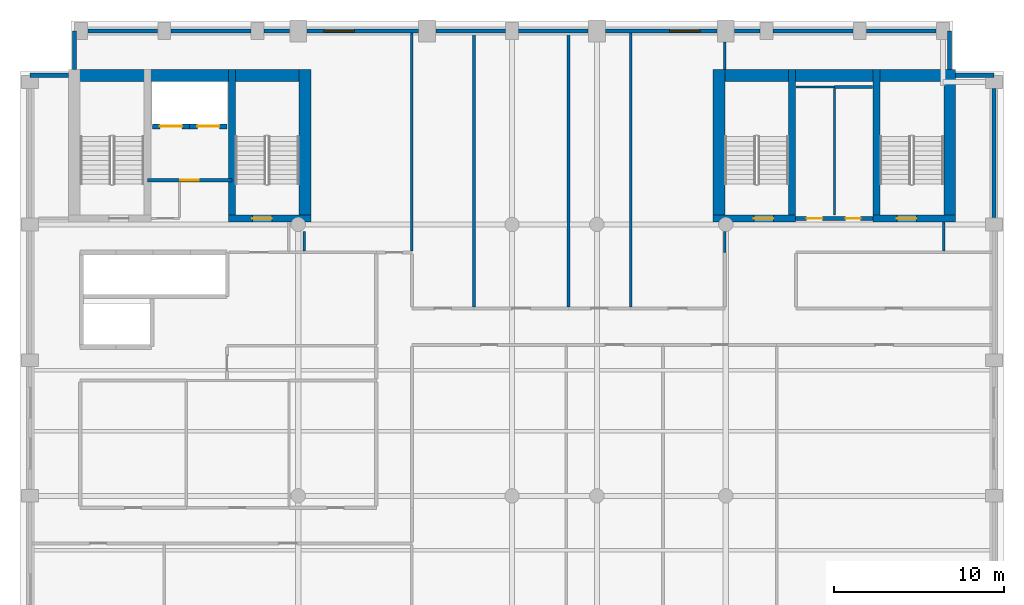
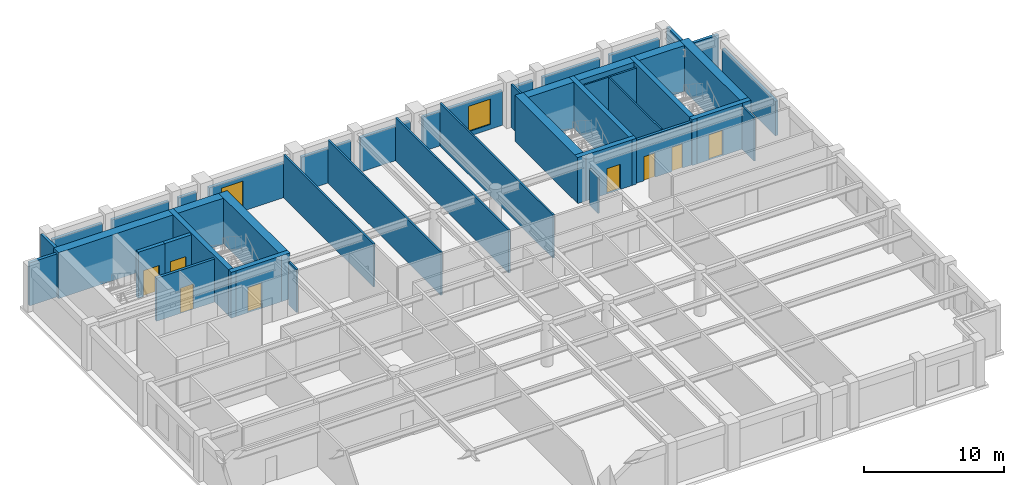
# One storey, part 5 of 8: 41 walls, 8 doors, 2 windows, 10 openings.
"""IFC4 building model written with IfcOpenShell, lengths in metres."""

from ifc_helpers import new_model, si_unit, direction, frame, frame_2d, origin, place, context, subcontext, project, spatial, rectangle, extrude, material, layer, layer_set, type_object, element, fill, save


model = new_model("IFC4")

# Units and contexts
model_context = context("Model", 3, precision=1e-05, world=origin(), true_north=direction((0.0, 1.0)))
body_context = subcontext(model_context, "Body", "Model", "MODEL_VIEW")
ifc_project = project(units=[si_unit("LENGTHUNIT", "METRE"), si_unit("AREAUNIT", "SQUARE_METRE"), si_unit("VOLUMEUNIT", "CUBIC_METRE"), si_unit("PLANEANGLEUNIT", "RADIAN"), si_unit("MASSUNIT", "GRAM", prefix="KILO")], contexts=[model_context])

# Site, building, storey
site_placement = place(None, origin())
site = spatial("IfcSite", under=ifc_project, at=site_placement, CompositionType="ELEMENT")
building_placement = place(site_placement, origin())
building = spatial("IfcBuilding", under=site, at=building_placement, Name="Sulina Concourse Tower", CompositionType="ELEMENT")
storey_placement = place(building_placement, frame((0.0, 0.0, 230.60009765625)))
storey = spatial("IfcBuildingStorey", under=building, at=storey_placement, Name="L56", CompositionType="ELEMENT", Elevation=230.60009765625)

# Wall, opening, door
ifc_material_1 = material(Name="Concrete C50/60", Category="concrete")
ifc_layer_1 = layer(ifc_material_1, 0.300048828125)
ifc_layer_set_1 = layer_set([ifc_layer_1], Name="Concrete C50/60")
wall_type_1 = type_object("IfcWallType", Name="Core Lift Hoistway Wall 300mm", PredefinedType="SOLIDWALL", material=ifc_layer_set_1)
wall_1_placement = place(storey_placement, frame((10.0, 39.780029296875, 0.0), z_axis=(0.0, 0.0, 1.0), x_axis=(-1.0, 0.0, 0.0)))
wall_1 = element("IfcWall", 1, at=wall_1_placement, inside=storey, type_object=wall_type_1, Name="L56 hoistway enclosure wall FFL-1", PredefinedType="SOLIDWALL", context=body_context, shape_type="SweptSolid", body=[
    extrude(rectangle(XDim=2.199951171875, YDim=0.300048828125, at=frame_2d((1.10009765625, 0.0))), origin(), (0.0, 0.0, 1.0), 4.0),
])
opening_1_placement = place(wall_1_placement, frame((0.449951171875, 0.0, 0.0)))
opening_1 = element("IfcOpeningElement", 2, at=opening_1_placement, cuts=wall_1, Name="Opening LD-02", PredefinedType="OPENING", context=body_context, shape_type="SweptSolid", body=[
    extrude(rectangle(XDim=1.300048828125, YDim=2.25, at=frame_2d((0.64990234375, 1.125))), frame((0.0, 0.159912109375, 0.0), z_axis=(0.0, -1.0, 0.0), x_axis=(1.0, 0.0, 0.0)), (0.0, 0.0, 1.0), 0.320068359375),
])
ifc_material_2 = material(Name="Stainless steel lift landing door", Category="steel")
ifc_layer_2 = layer(ifc_material_2, 0.050048828125)
ifc_layer_set_2 = layer_set([ifc_layer_2], Name="Stainless steel lift landing door")
door_type_1 = type_object("IfcDoorType", Name="Firefighting Lift Sliding Landing Door 1300x2250", OperationType="SLIDING_TO_RIGHT", PredefinedType="DOOR", material=ifc_layer_set_2)
door_1_placement = place(opening_1_placement, origin())
door_1 = element("IfcDoor", 3, at=door_1_placement, inside=storey, type_object=door_type_1, Name="L56 lift landing sliding door FFL-1", OperationType="SLIDING_TO_LEFT", OverallHeight=2.25, OverallWidth=1.300048828125, PredefinedType="DOOR", context=body_context, shape_type="SweptSolid", body=[
    extrude(rectangle(XDim=1.300048828125, YDim=2.25, at=frame_2d((0.64990234375, 1.125))), frame((0.0, 0.02490234375, 0.0), z_axis=(0.0, -1.0, 0.0), x_axis=(1.0, 0.0, 0.0)), (0.0, 0.0, 1.0), 0.050048828125),
])
fill(opening_1, door_1)

wall_2_placement = place(storey_placement, frame((12.199951171875, 39.780029296875, 0.0), z_axis=(0.0, 0.0, 1.0), x_axis=(-1.0, 0.0, 0.0)))
wall_2 = element("IfcWall", 4, at=wall_2_placement, inside=storey, type_object=wall_type_1, Name="L56 hoistway enclosure wall FFL-2", PredefinedType="SOLIDWALL", context=body_context, shape_type="SweptSolid", body=[
    extrude(rectangle(XDim=2.199951171875, YDim=0.300048828125, at=frame_2d((1.10009765625, 0.0))), origin(), (0.0, 0.0, 1.0), 4.0),
])
opening_2_placement = place(wall_2_placement, frame((0.449951171875, 0.0, 0.0)))
opening_2 = element("IfcOpeningElement", 5, at=opening_2_placement, cuts=wall_2, Name="Opening LD-02", PredefinedType="OPENING", context=body_context, shape_type="SweptSolid", body=[
    extrude(rectangle(XDim=1.300048828125, YDim=2.25, at=frame_2d((0.64990234375, 1.125))), frame((0.0, 0.159912109375, 0.0), z_axis=(0.0, -1.0, 0.0), x_axis=(1.0, 0.0, 0.0)), (0.0, 0.0, 1.0), 0.320068359375),
])
door_2_placement = place(opening_2_placement, origin())
door_2 = element("IfcDoor", 6, at=door_2_placement, inside=storey, type_object=door_type_1, Name="L56 lift landing sliding door FFL-2", OperationType="SLIDING_TO_RIGHT", OverallHeight=2.25, OverallWidth=1.300048828125, PredefinedType="DOOR", context=body_context, shape_type="SweptSolid", body=[
    extrude(rectangle(XDim=1.300048828125, YDim=2.25, at=frame_2d((0.64990234375, 1.125))), frame((0.0, 0.02490234375, 0.0), z_axis=(0.0, -1.0, 0.0), x_axis=(1.0, 0.0, 0.0)), (0.0, 0.0, 1.0), 0.050048828125),
])
fill(opening_2, door_2)

# Walls
ifc_material_3 = material(Name="Precast concrete C50/60", Category="concrete")
ifc_layer_3 = layer(ifc_material_3, 0.239990234375)
ifc_layer_set_3 = layer_set([ifc_layer_3], Name="Precast concrete C50/60")
wall_type_2 = type_object("IfcWallType", Name="Crown Precast Masonry-Frame Facade Wall 240mm", PredefinedType="SOLIDWALL", material=ifc_layer_set_3)
wall_3_placement = place(storey_placement, frame((3.9951171875, 45.39990234375, 0.0), z_axis=(0.0, 0.0, 1.0), x_axis=(1.0, 0.0, 0.0)))
element("IfcWall", 7, at=wall_3_placement, inside=storey, type_object=wall_type_2, Name="L56 exterior precast wall N1", PredefinedType="SOLIDWALL", context=body_context, shape_type="SweptSolid", body=[
    extrude(rectangle(XDim=4.10986328125, YDim=0.239990234375, at=frame_2d((2.054931640625, 0.0))), origin(), (0.0, 0.0, 1.0), 3.0),
])
wall_4_placement = place(storey_placement, frame((8.89501953125, 45.39990234375, 0.0), z_axis=(0.0, 0.0, 1.0), x_axis=(1.0, 0.0, 0.0)))
element("IfcWall", 8, at=wall_4_placement, inside=storey, type_object=wall_type_2, Name="L56 exterior precast wall N2", PredefinedType="SOLIDWALL", context=body_context, shape_type="SweptSolid", body=[
    extrude(rectangle(XDim=4.7099609375, YDim=0.239990234375, at=frame_2d((2.35498046875, 0.0))), origin(), (0.0, 0.0, 1.0), 3.0),
])
wall_5_placement = place(storey_placement, frame((14.39501953125, 45.39990234375, 0.0), z_axis=(0.0, 0.0, 1.0), x_axis=(1.0, 0.0, 0.0)))
element("IfcWall", 9, at=wall_5_placement, inside=storey, type_object=wall_type_2, Name="L56 exterior precast wall N3", PredefinedType="SOLIDWALL", context=body_context, shape_type="SweptSolid", body=[
    extrude(rectangle(XDim=1.48486328125, YDim=0.239990234375, at=frame_2d((0.742431640625, 0.0))), origin(), (0.0, 0.0, 1.0), 3.0),
])

# Wall, opening, window
wall_6_placement = place(storey_placement, frame((16.919921875, 45.39990234375, 0.0), z_axis=(0.0, 0.0, 1.0), x_axis=(1.0, 0.0, 0.0)))
wall_6 = element("IfcWall", 10, at=wall_6_placement, inside=storey, type_object=wall_type_2, Name="L56 exterior precast wall N4", PredefinedType="SOLIDWALL", context=body_context, shape_type="SweptSolid", body=[
    extrude(rectangle(XDim=6.56005859375, YDim=0.239990234375, at=frame_2d((3.280029296875, 0.0))), origin(), (0.0, 0.0, 1.0), 3.0),
])
opening_3_placement = place(wall_6_placement, frame((0.98681640625, 0.0, 0.419921875)))
opening_3 = element("IfcOpeningElement", 11, at=opening_3_placement, cuts=wall_6, Name="Opening WN-25", PredefinedType="OPENING", context=body_context, shape_type="SweptSolid", body=[
    extrude(rectangle(XDim=1.800048828125, YDim=2.199951171875, at=frame_2d((0.89990234375, 1.10009765625))), frame((0.0, 0.1298828125, 0.0), z_axis=(0.0, -1.0, 0.0), x_axis=(1.0, 0.0, 0.0)), (0.0, 0.0, 1.0), 0.260009765625),
])
ifc_material_4 = material(Name="Low-E solar double glazing in bronze aluminium", Category="aluminium")
window_type = type_object("IfcWindowType", Name="Punched Masonry-Frame Window 1800x2200", PartitioningType="SINGLE_PANEL", PredefinedType="WINDOW", material=ifc_material_4)
window_1_placement = place(opening_3_placement, origin())
window_1 = element("IfcWindow", 12, at=window_1_placement, inside=storey, type_object=window_type, Name="L56 punched window N4-1", OverallHeight=2.199951171875, OverallWidth=1.800048828125, PartitioningType="SINGLE_PANEL", PredefinedType="WINDOW", context=body_context, shape_type="SweptSolid", body=[
    extrude(rectangle(XDim=1.800048828125, YDim=2.199951171875, at=frame_2d((0.89990234375, 1.10009765625))), frame((0.0, 0.030029296875, 0.0), z_axis=(0.0, -1.0, 0.0), x_axis=(1.0, 0.0, 0.0)), (0.0, 0.0, 1.0), 0.06005859375),
])
fill(opening_3, window_1)

# Walls
for number, where, z_axis, x_axis, name in (
    (13, (24.52001953125, 45.39990234375, 0.0), (0.0, 0.0, 1.0), (1.0, 0.0, 0.0), "L56 exterior precast wall N5"),
    (14, (29.39501953125, 45.39990234375, 0.0), (0.0, 0.0, 1.0), (1.0, 0.0, 0.0), "L56 exterior precast wall N6"),
):
    element("IfcWall", number, at=place(storey_placement, frame(where, z_axis=z_axis, x_axis=x_axis)), inside=storey, type_object=wall_type_2, Name=name, PredefinedType="SOLIDWALL", context=body_context, shape_type="SweptSolid", body=[
        extrude(rectangle(XDim=4.0849609375, YDim=0.239990234375, at=frame_2d((2.04248046875, 0.0))), origin(), (0.0, 0.0, 1.0), 3.0),
    ])

# Wall, opening, window
wall_7_placement = place(storey_placement, frame((34.52001953125, 45.39990234375, 0.0), z_axis=(0.0, 0.0, 1.0), x_axis=(1.0, 0.0, 0.0)))
wall_7 = element("IfcWall", 15, at=wall_7_placement, inside=storey, type_object=wall_type_2, Name="L56 exterior precast wall N7", PredefinedType="SOLIDWALL", context=body_context, shape_type="SweptSolid", body=[
    extrude(rectangle(XDim=6.56005859375, YDim=0.239990234375, at=frame_2d((3.280029296875, 0.0))), origin(), (0.0, 0.0, 1.0), 3.0),
])
opening_4_placement = place(wall_7_placement, frame((3.773193359375, 0.0, 0.419921875)))
opening_4 = element("IfcOpeningElement", 16, at=opening_4_placement, cuts=wall_7, Name="Opening WN-25", PredefinedType="OPENING", context=body_context, shape_type="SweptSolid", body=[
    extrude(rectangle(XDim=1.800048828125, YDim=2.199951171875, at=frame_2d((0.89990234375, 1.10009765625))), frame((0.0, 0.1298828125, 0.0), z_axis=(0.0, -1.0, 0.0), x_axis=(1.0, 0.0, 0.0)), (0.0, 0.0, 1.0), 0.260009765625),
])
window_2_placement = place(opening_4_placement, origin())
window_2 = element("IfcWindow", 17, at=window_2_placement, inside=storey, type_object=window_type, Name="L56 punched window N7-1", OverallHeight=2.199951171875, OverallWidth=1.800048828125, PartitioningType="SINGLE_PANEL", PredefinedType="WINDOW", context=body_context, shape_type="SweptSolid", body=[
    extrude(rectangle(XDim=1.800048828125, YDim=2.199951171875, at=frame_2d((0.89990234375, 1.10009765625))), frame((0.0, 0.030029296875, 0.0), z_axis=(0.0, -1.0, 0.0), x_axis=(1.0, 0.0, 0.0)), (0.0, 0.0, 1.0), 0.06005859375),
])
fill(opening_4, window_2)

# Walls
wall_8_placement = place(storey_placement, frame((42.1201171875, 45.39990234375, 0.0), z_axis=(0.0, 0.0, 1.0), x_axis=(1.0, 0.0, 0.0)))
element("IfcWall", 18, at=wall_8_placement, inside=storey, type_object=wall_type_2, Name="L56 exterior precast wall N8", PredefinedType="SOLIDWALL", context=body_context, shape_type="SweptSolid", body=[
    extrude(rectangle(XDim=1.48486328125, YDim=0.239990234375, at=frame_2d((0.742431640625, 0.0))), origin(), (0.0, 0.0, 1.0), 3.0),
])
wall_9_placement = place(storey_placement, frame((44.39501953125, 45.39990234375, 0.0), z_axis=(0.0, 0.0, 1.0), x_axis=(1.0, 0.0, 0.0)))
element("IfcWall", 19, at=wall_9_placement, inside=storey, type_object=wall_type_2, Name="L56 exterior precast wall N9", PredefinedType="SOLIDWALL", context=body_context, shape_type="SweptSolid", body=[
    extrude(rectangle(XDim=4.7099609375, YDim=0.239990234375, at=frame_2d((2.35498046875, 0.0))), origin(), (0.0, 0.0, 1.0), 3.0),
])
wall_10_placement = place(storey_placement, frame((49.89501953125, 45.39990234375, 0.0), z_axis=(0.0, 0.0, 1.0), x_axis=(1.0, 0.0, 0.0)))
element("IfcWall", 20, at=wall_10_placement, inside=storey, type_object=wall_type_2, Name="L56 exterior precast wall N10", PredefinedType="SOLIDWALL", context=body_context, shape_type="SweptSolid", body=[
    extrude(rectangle(XDim=4.10986328125, YDim=0.239990234375, at=frame_2d((2.054931640625, 0.0))), origin(), (0.0, 0.0, 1.0), 3.0),
])
wall_11_placement = place(storey_placement, frame((57.39990234375, 42.0048828125, 0.0), z_axis=(0.0, 0.0, 1.0), x_axis=(0.0, -1.0, 0.0)))
element("IfcWall", 21, at=wall_11_placement, inside=storey, type_object=wall_type_2, Name="L56 exterior precast wall E5", PredefinedType="SOLIDWALL", context=body_context, shape_type="SweptSolid", body=[
    extrude(rectangle(XDim=7.60986328125, YDim=0.239990234375, at=frame_2d((3.804931640625, 0.0))), origin(), (0.0, 0.0, 1.0), 3.0),
])
wall_12_placement = place(storey_placement, frame((0.60009765625, 42.794921875, 0.0), z_axis=(0.0, 0.0, 1.0), x_axis=(1.0, 0.0, 0.0)))
element("IfcWall", 22, at=wall_12_placement, inside=storey, type_object=wall_type_2, Name="L56 exterior precast wall CNW1", PredefinedType="SOLIDWALL", context=body_context, shape_type="SweptSolid", body=[
    extrude(rectangle(XDim=2.244873046875, YDim=0.239990234375, at=frame_2d((1.12255859375, 0.0))), origin(), (0.0, 0.0, 1.0), 3.75),
])
for number, where, z_axis, x_axis, name in (
    (23, (3.205078125, 43.135009765625, 0.0), (0.0, 0.0, 1.0), (0.0, 1.0, 0.0), "L56 exterior precast wall CNW2"),
    (24, (54.794921875, 45.39990234375, 0.0), (0.0, 0.0, 1.0), (0.0, -1.0, 0.0), "L56 exterior precast wall CNE1"),
):
    element("IfcWall", number, at=place(storey_placement, frame(where, z_axis=z_axis, x_axis=x_axis)), inside=storey, type_object=wall_type_2, Name=name, PredefinedType="SOLIDWALL", context=body_context, shape_type="SweptSolid", body=[
        extrude(rectangle(XDim=2.264892578125, YDim=0.239990234375, at=frame_2d((1.13232421875, 0.0))), origin(), (0.0, 0.0, 1.0), 3.75),
    ])
wall_13_placement = place(storey_placement, frame((55.155029296875, 42.794921875, 0.0), z_axis=(0.0, 0.0, 1.0), x_axis=(1.0, 0.0, 0.0)))
element("IfcWall", 25, at=wall_13_placement, inside=storey, type_object=wall_type_2, Name="L56 exterior precast wall CNE2", PredefinedType="SOLIDWALL", context=body_context, shape_type="SweptSolid", body=[
    extrude(rectangle(XDim=2.244873046875, YDim=0.239990234375, at=frame_2d((1.12255859375, 0.0))), origin(), (0.0, 0.0, 1.0), 3.75),
])

# Wall, opening, door
ifc_material_5 = material(Name="Gypsum board on steel stud", Category="steel")
ifc_layer_4 = layer(ifc_material_5, 0.219970703125)
ifc_layer_set_4 = layer_set([ifc_layer_4], Name="Gypsum board on steel stud")
wall_type_3 = type_object("IfcWallType", Name="Fire-Rated Lobby & Compartment Wall 220mm", PredefinedType="PARTITIONING", material=ifc_layer_set_4)
wall_14_placement = place(storey_placement, frame((7.510009765625, 36.60009765625, 0.0), z_axis=(0.0, 0.0, 1.0), x_axis=(1.0, 0.0, 0.0)))
wall_14 = element("IfcWall", 26, at=wall_14_placement, inside=storey, type_object=wall_type_3, Name="L56 firefighting lobby south fire wall", PredefinedType="PARTITIONING", context=body_context, shape_type="SweptSolid", body=[
    extrude(rectangle(XDim=4.97998046875, YDim=0.219970703125, at=frame_2d((2.489990234375, 0.0))), origin(), (0.0, 0.0, 1.0), 3.75),
])
opening_5_placement = place(wall_14_placement, frame((1.93994140625, 0.0, 0.0)))
opening_5 = element("IfcOpeningElement", 27, at=opening_5_placement, cuts=wall_14, Name="Opening DR-47", PredefinedType="OPENING", context=body_context, shape_type="SweptSolid", body=[
    extrude(rectangle(XDim=1.10009765625, YDim=2.199951171875, at=frame_2d((0.550048828125, 1.10009765625))), frame((0.0, 0.119873046875, 0.0), z_axis=(0.0, -1.0, 0.0), x_axis=(1.0, 0.0, 0.0)), (0.0, 0.0, 1.0), 0.239990234375),
])
ifc_material_6 = material(Name="Galvanised steel acoustic fire leaf", Category="steel")
ifc_layer_5 = layer(ifc_material_6, 0.054931640625)
ifc_layer_set_5 = layer_set([ifc_layer_5], Name="Galvanised steel acoustic fire leaf")
door_type_2 = type_object("IfcDoorType", Name="Firefighting Lobby Fire Door 1100x2200", OperationType="NOTDEFINED", PredefinedType="DOOR", material=ifc_layer_set_5)
door_3_placement = place(opening_5_placement, origin())
door_3 = element("IfcDoor", 28, at=door_3_placement, inside=storey, type_object=door_type_2, Name="L56 firefighting lobby fire door", OperationType="SINGLE_SWING_LEFT", OverallHeight=2.199951171875, OverallWidth=1.10009765625, PredefinedType="DOOR", context=body_context, shape_type="SweptSolid", body=[
    extrude(rectangle(XDim=1.10009765625, YDim=2.199951171875, at=frame_2d((0.550048828125, 1.10009765625))), frame((0.0, 0.02490234375, 0.0), z_axis=(0.0, -1.0, 0.0), x_axis=(1.0, 0.0, 0.0)), (0.0, 0.0, 1.0), 0.050048828125),
])
fill(opening_5, door_3)

# Wall, openings, doors
wall_15_placement = place(storey_placement, frame((45.719970703125, 34.35009765625, 0.0), z_axis=(0.0, 0.0, 1.0), x_axis=(1.0, 0.0, 0.0)))
wall_15 = element("IfcWall", 29, at=wall_15_placement, inside=storey, type_object=wall_type_3, Name="L56 east core south lobby wall", PredefinedType="PARTITIONING", context=body_context, shape_type="SweptSolid", body=[
    extrude(rectangle(XDim=4.56005859375, YDim=0.219970703125, at=frame_2d((2.280029296875, 0.0))), origin(), (0.0, 0.0, 1.0), 3.75),
])
opening_6_placement = place(wall_15_placement, frame((0.64990234375, 0.0, 0.0)))
opening_6 = element("IfcOpeningElement", 30, at=opening_6_placement, cuts=wall_15, Name="Opening DR-61", PredefinedType="OPENING", context=body_context, shape_type="SweptSolid", body=[
    extrude(rectangle(XDim=0.919921875, YDim=2.10009765625, at=frame_2d((0.4599609375, 1.050048828125))), frame((0.0, 0.119873046875, 0.0), z_axis=(0.0, -1.0, 0.0), x_axis=(1.0, 0.0, 0.0)), (0.0, 0.0, 1.0), 0.239990234375),
])
opening_7_placement = place(wall_15_placement, frame((2.949951171875, 0.0, 0.0)))
opening_7 = element("IfcOpeningElement", 31, at=opening_7_placement, cuts=wall_15, Name="Opening DR-38", PredefinedType="OPENING", context=body_context, shape_type="SweptSolid", body=[
    extrude(rectangle(XDim=0.8798828125, YDim=2.10009765625, at=frame_2d((0.43994140625, 1.050048828125))), frame((0.0, 0.119873046875, 0.0), z_axis=(0.0, -1.0, 0.0), x_axis=(1.0, 0.0, 0.0)), (0.0, 0.0, 1.0), 0.239990234375),
])
ifc_material_7 = material(Name="Oak-veneered fire door leaf")
ifc_layer_6 = layer(ifc_material_7, 0.050048828125)
ifc_layer_set_6 = layer_set([ifc_layer_6], Name="Oak-veneered fire door leaf")
door_type_3 = type_object("IfcDoorType", Name="Accessible WC Door 920x2100", OperationType="NOTDEFINED", PredefinedType="DOOR", material=ifc_layer_set_6)
door_4_placement = place(opening_6_placement, origin())
door_4 = element("IfcDoor", 32, at=door_4_placement, inside=storey, type_object=door_type_3, Name="L56 east core accessible wc door", OperationType="SINGLE_SWING_LEFT", OverallHeight=2.10009765625, OverallWidth=0.919921875, PredefinedType="DOOR", context=body_context, shape_type="SweptSolid", body=[
    extrude(rectangle(XDim=0.919921875, YDim=2.10009765625, at=frame_2d((0.4599609375, 1.050048828125))), frame((0.0, 0.02490234375, 0.0), z_axis=(0.0, -1.0, 0.0), x_axis=(1.0, 0.0, 0.0)), (0.0, 0.0, 1.0), 0.050048828125),
])
fill(opening_6, door_4)
ifc_material_8 = material(Name="Galvanised steel acoustic fire leaf", Category="steel")
ifc_layer_7 = layer(ifc_material_8, 0.050048828125)
ifc_layer_set_7 = layer_set([ifc_layer_7], Name="Galvanised steel acoustic fire leaf")
door_type_4 = type_object("IfcDoorType", Name="Service Riser Fire Door 880x2100", OperationType="NOTDEFINED", PredefinedType="DOOR", material=ifc_layer_set_7)
door_5_placement = place(opening_7_placement, origin())
door_5 = element("IfcDoor", 33, at=door_5_placement, inside=storey, type_object=door_type_4, Name="L56 east core store door", OperationType="SINGLE_SWING_RIGHT", OverallHeight=2.10009765625, OverallWidth=0.8798828125, PredefinedType="DOOR", context=body_context, shape_type="SweptSolid", body=[
    extrude(rectangle(XDim=0.8798828125, YDim=2.10009765625, at=frame_2d((0.43994140625, 1.050048828125))), frame((0.0, 0.02490234375, 0.0), z_axis=(0.0, -1.0, 0.0), x_axis=(1.0, 0.0, 0.0)), (0.0, 0.0, 1.0), 0.050048828125),
])
fill(opening_7, door_5)

# Walls
ifc_material_9 = material(Name="Gypsum board on steel stud", Category="steel")
ifc_layer_8 = layer(ifc_material_9, 0.14990234375)
ifc_layer_set_8 = layer_set([ifc_layer_8], Name="Gypsum board on steel stud")
wall_type_4 = type_object("IfcWallType", Name="Inter-Tenancy Acoustic Partition 150mm", PredefinedType="PARTITIONING", material=ifc_layer_set_8)
wall_16_placement = place(storey_placement, frame((48.0, 42.10009765625, 0.0), z_axis=(0.0, 0.0, 1.0), x_axis=(1.0, 0.0, 0.0)))
element("IfcWall", 34, at=wall_16_placement, inside=storey, type_object=wall_type_4, Name="L56 interior partition 029", PredefinedType="PARTITIONING", context=body_context, shape_type="SweptSolid", body=[
    extrude(rectangle(XDim=2.25, YDim=0.14990234375, at=frame_2d((1.125, 0.0))), origin(), (0.0, 0.0, 1.0), 3.75),
])
wall_17_placement = place(storey_placement, frame((16.75, 32.425048828125, 0.0), z_axis=(0.0, 0.0, 1.0), x_axis=(0.0, 1.0, 0.0)))
element("IfcWall", 35, at=wall_17_placement, inside=storey, type_object=wall_type_4, Name="L56 interior partition 037", PredefinedType="PARTITIONING", context=body_context, shape_type="SweptSolid", body=[
    extrude(rectangle(XDim=1.14990234375, YDim=0.14990234375, at=frame_2d((0.574951171875, 0.0))), origin(), (0.0, 0.0, 1.0), 3.75),
])
wall_18_placement = place(storey_placement, frame((23.10009765625, 32.43994140625, 0.0), z_axis=(0.0, 0.0, 1.0), x_axis=(0.0, 1.0, 0.0)))
element("IfcWall", 36, at=wall_18_placement, inside=storey, type_object=wall_type_4, Name="L56 interior partition 045", PredefinedType="PARTITIONING", context=body_context, shape_type="SweptSolid", body=[
    extrude(rectangle(XDim=12.840087890625, YDim=0.14990234375, at=frame_2d((6.419921875, 0.0))), origin(), (0.0, 0.0, 1.0), 3.75),
])
for number, where, z_axis, x_axis, name in (
    (37, (26.760009765625, 29.139892578125, 0.0), (0.0, 0.0, 1.0), (0.0, 1.0, 0.0), "L56 interior partition 046"),
    (38, (32.330078125, 29.139892578125, 0.0), (0.0, 0.0, 1.0), (0.0, 1.0, 0.0), "L56 interior partition 048"),
    (39, (35.989990234375, 29.139892578125, 0.0), (0.0, 0.0, 1.0), (0.0, 1.0, 0.0), "L56 interior partition 049"),
):
    element("IfcWall", number, at=place(storey_placement, frame(where, z_axis=z_axis, x_axis=x_axis)), inside=storey, type_object=wall_type_4, Name=name, PredefinedType="PARTITIONING", context=body_context, shape_type="SweptSolid", body=[
        extrude(rectangle(XDim=16.14013671875, YDim=0.14990234375, at=frame_2d((8.070068359375, 0.0))), origin(), (0.0, 0.0, 1.0), 3.75),
    ])
wall_19_placement = place(storey_placement, frame((41.550048828125, 32.35009765625, 0.0), z_axis=(0.0, 0.0, 1.0), x_axis=(0.0, 1.0, 0.0)))
element("IfcWall", 40, at=wall_19_placement, inside=storey, type_object=wall_type_4, Name="L56 interior partition 052", PredefinedType="PARTITIONING", context=body_context, shape_type="SweptSolid", body=[
    extrude(rectangle(XDim=1.224853515625, YDim=0.14990234375, at=frame_2d((0.6123046875, 0.0))), origin(), (0.0, 0.0, 1.0), 3.14501953125),
])
wall_20_placement = place(storey_placement, frame((41.550048828125, 43.1298828125, 0.0), z_axis=(0.0, 0.0, 1.0), x_axis=(0.0, 1.0, 0.0)))
element("IfcWall", 41, at=wall_20_placement, inside=storey, type_object=wall_type_4, Name="L56 interior partition 053", PredefinedType="PARTITIONING", context=body_context, shape_type="SweptSolid", body=[
    extrude(rectangle(XDim=1.6201171875, YDim=0.14990234375, at=frame_2d((0.81005859375, 0.0))), origin(), (0.0, 0.0, 1.0), 3.75),
])
wall_21_placement = place(storey_placement, frame((54.449951171875, 32.425048828125, 0.0), z_axis=(0.0, 0.0, 1.0), x_axis=(0.0, 1.0, 0.0)))
element("IfcWall", 42, at=wall_21_placement, inside=storey, type_object=wall_type_4, Name="L56 interior partition 057", PredefinedType="PARTITIONING", context=body_context, shape_type="SweptSolid", body=[
    extrude(rectangle(XDim=1.724853515625, YDim=0.14990234375, at=frame_2d((0.8623046875, 0.0))), origin(), (0.0, 0.0, 1.0), 3.75),
])

# Wall, opening, door
ifc_material_10 = material(Name="Concrete C60/75", Category="concrete")
ifc_layer_9 = layer(ifc_material_10, 0.39990234375)
ifc_layer_set_9 = layer_set([ifc_layer_9], Name="Concrete C60/75")
wall_type_5 = type_object("IfcWallType", Name="Protected Stair Core Shear Wall 400mm", PredefinedType="SHEAR", material=ifc_layer_set_9)
wall_22_placement = place(storey_placement, frame((12.2900390625, 34.35009765625, 0.0), z_axis=(0.0, 0.0, 1.0), x_axis=(1.0, 0.0, 0.0)))
wall_22 = element("IfcWall", 43, at=wall_22_placement, inside=storey, type_object=wall_type_5, Name="L56 west core shear wall CW-WS2", PredefinedType="SHEAR", context=body_context, shape_type="SweptSolid", body=[
    extrude(rectangle(XDim=4.85986328125, YDim=0.39990234375, at=frame_2d((2.429931640625, 0.0))), origin(), (0.0, 0.0, 1.0), 4.0),
])
opening_8_placement = place(wall_22_placement, frame((1.39990234375, 0.0, 0.0)))
opening_8 = element("IfcOpeningElement", 44, at=opening_8_placement, cuts=wall_22, Name="Opening DR-60", PredefinedType="OPENING", context=body_context, shape_type="SweptSolid", body=[
    extrude(rectangle(XDim=1.14990234375, YDim=2.199951171875, at=frame_2d((0.574951171875, 1.10009765625))), frame((0.0, 0.2099609375, 0.0), z_axis=(0.0, -1.0, 0.0), x_axis=(1.0, 0.0, 0.0)), (0.0, 0.0, 1.0), 0.419921875),
])
ifc_material_11 = material(Name="Galvanised steel acoustic fire leaf", Category="steel")
ifc_layer_10 = layer(ifc_material_11, 0.054931640625)
ifc_layer_set_10 = layer_set([ifc_layer_10], Name="Galvanised steel acoustic fire leaf")
door_type_5 = type_object("IfcDoorType", Name="Protected Exit Stair Fire Door 1150x2200", OperationType="NOTDEFINED", PredefinedType="DOOR", material=ifc_layer_set_10)
door_6_placement = place(opening_8_placement, origin())
door_6 = element("IfcDoor", 45, at=door_6_placement, inside=storey, type_object=door_type_5, Name="L56 stair ST-2 lobby fire door", OperationType="SINGLE_SWING_RIGHT", OverallHeight=2.199951171875, OverallWidth=1.14990234375, PredefinedType="DOOR", context=body_context, shape_type="SweptSolid", body=[
    extrude(rectangle(XDim=1.14990234375, YDim=2.199951171875, at=frame_2d((0.574951171875, 1.10009765625))), frame((0.0, 0.02490234375, 0.0), z_axis=(0.0, -1.0, 0.0), x_axis=(1.0, 0.0, 0.0)), (0.0, 0.0, 1.0), 0.050048828125),
])
fill(opening_8, door_6)

# Wall
wall_23_placement = place(storey_placement, frame((12.489990234375, 34.14990234375, 0.0), z_axis=(0.0, 0.0, 1.0), x_axis=(0.0, 1.0, 0.0)))
element("IfcWall", 46, at=wall_23_placement, inside=storey, type_object=wall_type_5, Name="L56 west core shear wall SW-ST2", PredefinedType="SHEAR", context=body_context, shape_type="SweptSolid", body=[
    extrude(rectangle(XDim=8.97998046875, YDim=0.39990234375, at=frame_2d((4.489990234375, 0.0))), origin(), (0.0, 0.0, 1.0), 4.0),
])

# Wall, opening, door
wall_24_placement = place(storey_placement, frame((40.85009765625, 34.35009765625, 0.0), z_axis=(0.0, 0.0, 1.0), x_axis=(1.0, 0.0, 0.0)))
wall_24 = element("IfcWall", 47, at=wall_24_placement, inside=storey, type_object=wall_type_5, Name="L56 east core shear wall CW-ES1", PredefinedType="SHEAR", context=body_context, shape_type="SweptSolid", body=[
    extrude(rectangle(XDim=4.85986328125, YDim=0.39990234375, at=frame_2d((2.429931640625, 0.0))), origin(), (0.0, 0.0, 1.0), 4.0),
])
opening_9_placement = place(wall_24_placement, frame((2.39990234375, 0.0, 0.0)))
opening_9 = element("IfcOpeningElement", 48, at=opening_9_placement, cuts=wall_24, Name="Opening DR-60", PredefinedType="OPENING", context=body_context, shape_type="SweptSolid", body=[
    extrude(rectangle(XDim=1.14990234375, YDim=2.199951171875, at=frame_2d((0.574951171875, 1.10009765625))), frame((0.0, 0.2099609375, 0.0), z_axis=(0.0, -1.0, 0.0), x_axis=(1.0, 0.0, 0.0)), (0.0, 0.0, 1.0), 0.419921875),
])
door_7_placement = place(opening_9_placement, origin())
door_7 = element("IfcDoor", 49, at=door_7_placement, inside=storey, type_object=door_type_5, Name="L56 stair ST-3 south lobby fire door", OperationType="SINGLE_SWING_RIGHT", OverallHeight=2.199951171875, OverallWidth=1.14990234375, PredefinedType="DOOR", context=body_context, shape_type="SweptSolid", body=[
    extrude(rectangle(XDim=1.14990234375, YDim=2.199951171875, at=frame_2d((0.574951171875, 1.10009765625))), frame((0.0, 0.02490234375, 0.0), z_axis=(0.0, -1.0, 0.0), x_axis=(1.0, 0.0, 0.0)), (0.0, 0.0, 1.0), 0.050048828125),
])
fill(opening_9, door_7)

# Wall
wall_25_placement = place(storey_placement, frame((45.510009765625, 34.14990234375, 0.0), z_axis=(0.0, 0.0, 1.0), x_axis=(0.0, 1.0, 0.0)))
element("IfcWall", 50, at=wall_25_placement, inside=storey, type_object=wall_type_5, Name="L56 east core shear wall SW-ST3", PredefinedType="SHEAR", context=body_context, shape_type="SweptSolid", body=[
    extrude(rectangle(XDim=8.97998046875, YDim=0.39990234375, at=frame_2d((4.489990234375, 0.0))), origin(), (0.0, 0.0, 1.0), 4.0),
])

# Wall, opening, door
wall_26_placement = place(storey_placement, frame((50.2900390625, 34.35009765625, 0.0), z_axis=(0.0, 0.0, 1.0), x_axis=(1.0, 0.0, 0.0)))
wall_26 = element("IfcWall", 51, at=wall_26_placement, inside=storey, type_object=wall_type_5, Name="L56 east core shear wall CW-ES2", PredefinedType="SHEAR", context=body_context, shape_type="SweptSolid", body=[
    extrude(rectangle(XDim=4.85986328125, YDim=0.39990234375, at=frame_2d((2.429931640625, 0.0))), origin(), (0.0, 0.0, 1.0), 4.0),
])
opening_10_placement = place(wall_26_placement, frame((1.39990234375, 0.0, 0.0)))
opening_10 = element("IfcOpeningElement", 52, at=opening_10_placement, cuts=wall_26, Name="Opening DR-60", PredefinedType="OPENING", context=body_context, shape_type="SweptSolid", body=[
    extrude(rectangle(XDim=1.14990234375, YDim=2.199951171875, at=frame_2d((0.574951171875, 1.10009765625))), frame((0.0, 0.2099609375, 0.0), z_axis=(0.0, -1.0, 0.0), x_axis=(1.0, 0.0, 0.0)), (0.0, 0.0, 1.0), 0.419921875),
])
door_8_placement = place(opening_10_placement, origin())
door_8 = element("IfcDoor", 53, at=door_8_placement, inside=storey, type_object=door_type_5, Name="L56 stair ST-4 south lobby fire door", OperationType="SINGLE_SWING_LEFT", OverallHeight=2.199951171875, OverallWidth=1.14990234375, PredefinedType="DOOR", context=body_context, shape_type="SweptSolid", body=[
    extrude(rectangle(XDim=1.14990234375, YDim=2.199951171875, at=frame_2d((0.574951171875, 1.10009765625))), frame((0.0, 0.02490234375, 0.0), z_axis=(0.0, -1.0, 0.0), x_axis=(1.0, 0.0, 0.0)), (0.0, 0.0, 1.0), 0.050048828125),
])
fill(opening_10, door_8)

# Walls
wall_27_placement = place(storey_placement, frame((50.489990234375, 34.14990234375, 0.0), z_axis=(0.0, 0.0, 1.0), x_axis=(0.0, 1.0, 0.0)))
element("IfcWall", 54, at=wall_27_placement, inside=storey, type_object=wall_type_5, Name="L56 east core shear wall SW-ST4", PredefinedType="SHEAR", context=body_context, shape_type="SweptSolid", body=[
    extrude(rectangle(XDim=8.97998046875, YDim=0.39990234375, at=frame_2d((4.489990234375, 0.0))), origin(), (0.0, 0.0, 1.0), 4.0),
])
ifc_material_12 = material(Name="Concrete C60/75", Category="concrete")
ifc_layer_11 = layer(ifc_material_12, 0.699951171875)
ifc_layer_set_11 = layer_set([ifc_layer_11], Name="Concrete C60/75")
wall_type_6 = type_object("IfcWallType", Name="Rear Core Shear Wall 700mm", PredefinedType="SHEAR", material=ifc_layer_set_11)
wall_28_placement = place(storey_placement, frame((2.85009765625, 42.780029296875, 0.0), z_axis=(0.0, 0.0, 1.0), x_axis=(1.0, 0.0, 0.0)))
element("IfcWall", 55, at=wall_28_placement, inside=storey, type_object=wall_type_6, Name="L56 west core shear wall CW-WN", PredefinedType="SHEAR", context=body_context, shape_type="SweptSolid", body=[
    extrude(rectangle(XDim=14.2998046875, YDim=0.699951171875, at=frame_2d((7.14990234375, 0.0))), origin(), (0.0, 0.0, 1.0), 4.0),
])
wall_29_placement = place(storey_placement, frame((16.800048828125, 34.14990234375, 0.0), z_axis=(0.0, 0.0, 1.0), x_axis=(0.0, 1.0, 0.0)))
element("IfcWall", 56, at=wall_29_placement, inside=storey, type_object=wall_type_6, Name="L56 west core shear wall CW-WE", PredefinedType="SHEAR", context=body_context, shape_type="SweptSolid", body=[
    extrude(rectangle(XDim=8.97998046875, YDim=0.699951171875, at=frame_2d((4.489990234375, 0.0))), origin(), (0.0, 0.0, 1.0), 4.0),
])
wall_30_placement = place(storey_placement, frame((40.85009765625, 42.780029296875, 0.0), z_axis=(0.0, 0.0, 1.0), x_axis=(1.0, 0.0, 0.0)))
element("IfcWall", 57, at=wall_30_placement, inside=storey, type_object=wall_type_6, Name="L56 east core shear wall CW-EN", PredefinedType="SHEAR", context=body_context, shape_type="SweptSolid", body=[
    extrude(rectangle(XDim=14.2998046875, YDim=0.699951171875, at=frame_2d((7.14990234375, 0.0))), origin(), (0.0, 0.0, 1.0), 4.0),
])
for number, where, z_axis, x_axis, name in (
    (58, (41.199951171875, 34.14990234375, 0.0), (0.0, 0.0, 1.0), (0.0, 1.0, 0.0), "L56 east core shear wall CW-EW"),
    (59, (54.800048828125, 34.14990234375, 0.0), (0.0, 0.0, 1.0), (0.0, 1.0, 0.0), "L56 east core shear wall CW-EE"),
):
    element("IfcWall", number, at=place(storey_placement, frame(where, z_axis=z_axis, x_axis=x_axis)), inside=storey, type_object=wall_type_6, Name=name, PredefinedType="SHEAR", context=body_context, shape_type="SweptSolid", body=[
        extrude(rectangle(XDim=8.97998046875, YDim=0.699951171875, at=frame_2d((4.489990234375, 0.0))), origin(), (0.0, 0.0, 1.0), 4.0),
    ])
ifc_material_13 = material(Name="Gypsum board on steel stud", Category="steel")
ifc_layer_12 = layer(ifc_material_13, 0.125)
ifc_layer_set_12 = layer_set([ifc_layer_12], Name="Gypsum board on steel stud")
wall_type_7 = type_object("IfcWallType", Name="Wet-Area Moisture-Resistant Partition 125mm", PredefinedType="PARTITIONING", material=ifc_layer_set_12)
wall_31_placement = place(storey_placement, frame((45.75, 42.10009765625, 0.0), z_axis=(0.0, 0.0, 1.0), x_axis=(1.0, 0.0, 0.0)))
element("IfcWall", 60, at=wall_31_placement, inside=storey, type_object=wall_type_7, Name="L56 interior partition 028", PredefinedType="PARTITIONING", context=body_context, shape_type="SweptSolid", body=[
    extrude(rectangle(XDim=2.25, YDim=0.125, at=frame_2d((1.125, 0.0))), origin(), (0.0, 0.0, 1.0), 3.75),
])
wall_32_placement = place(storey_placement, frame((48.0, 34.550048828125, 0.0), z_axis=(0.0, 0.0, 1.0), x_axis=(0.0, 1.0, 0.0)))
element("IfcWall", 61, at=wall_32_placement, inside=storey, type_object=wall_type_7, Name="L56 interior partition 056", PredefinedType="PARTITIONING", context=body_context, shape_type="SweptSolid", body=[
    extrude(rectangle(XDim=7.474853515625, YDim=0.125, at=frame_2d((3.7373046875, 0.0))), origin(), (0.0, 0.0, 1.0), 3.75),
])

save(model, "model.ifc")
